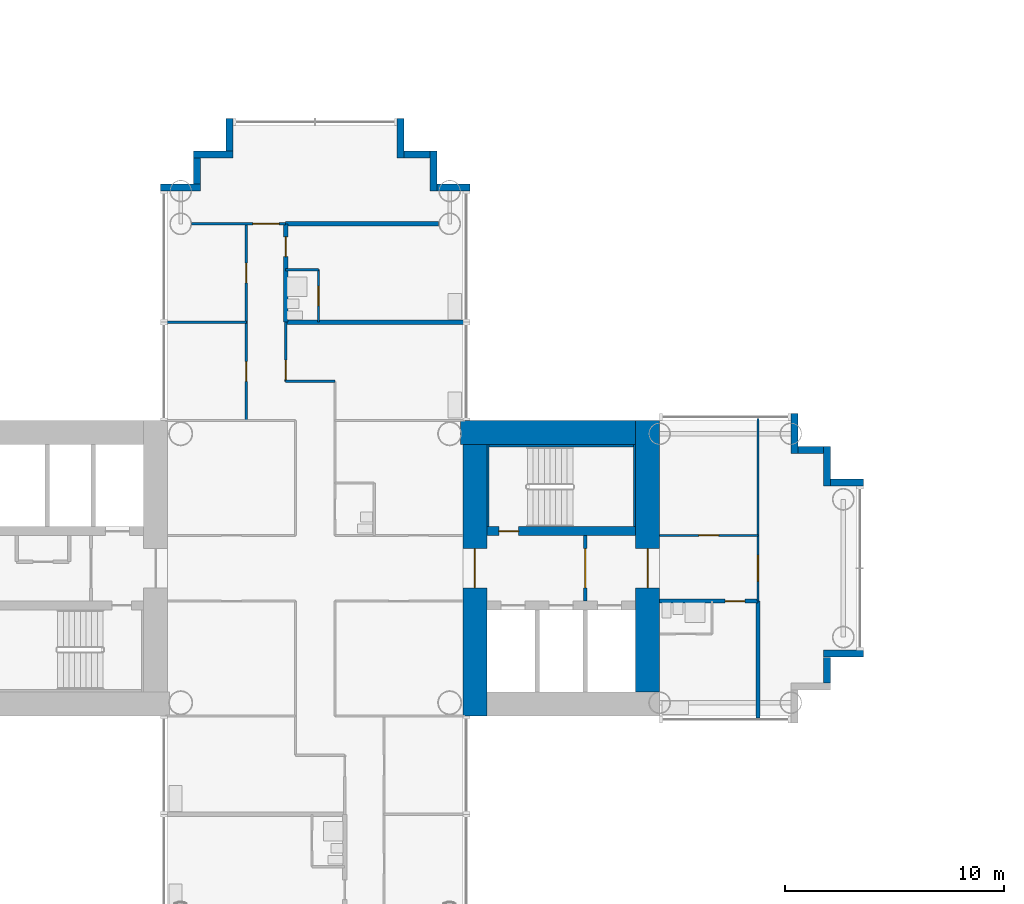
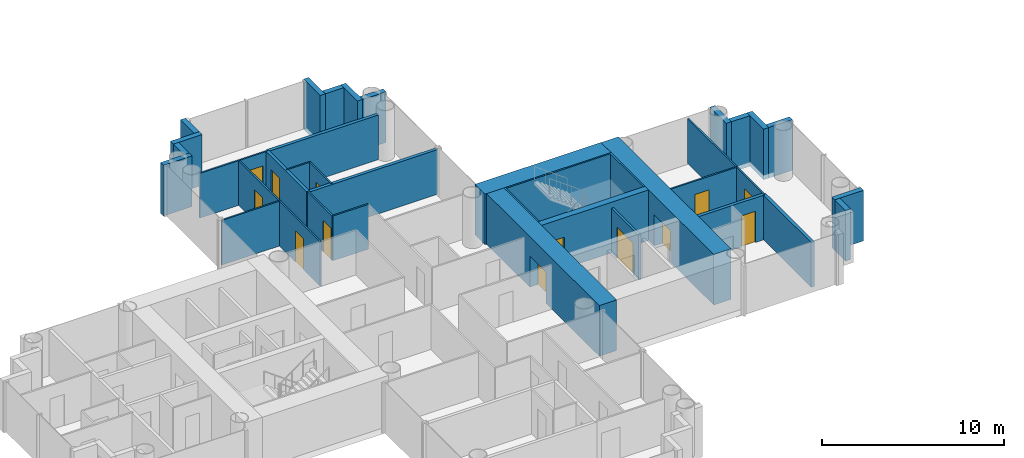
# One storey, part 11 of 21: 36 walls, 13 doors, 13 openings.
"""IFC4 building model written with IfcOpenShell, lengths in metres."""

from ifc_helpers import new_model, si_unit, direction, frame, frame_2d, origin, place, context, subcontext, project, spatial, rectangle, extrude, material, layer, layer_set, type_object, element, fill, save


model = new_model("IFC4")

# Units and contexts
model_context = context("Model", 3, precision=1e-05, world=origin(), true_north=direction((0.0, 1.0)))
body_context = subcontext(model_context, "Body", "Model", "MODEL_VIEW")
ifc_project = project(units=[si_unit("LENGTHUNIT", "METRE"), si_unit("AREAUNIT", "SQUARE_METRE"), si_unit("VOLUMEUNIT", "CUBIC_METRE"), si_unit("PLANEANGLEUNIT", "RADIAN"), si_unit("MASSUNIT", "GRAM", prefix="KILO")], contexts=[model_context])

# Site, building, storey
site_placement = place(None, origin())
site = spatial("IfcSite", under=ifc_project, at=site_placement, CompositionType="ELEMENT")
building_placement = place(site_placement, origin())
building = spatial("IfcBuilding", under=site, at=building_placement, Name="Ipe Terrace Towers", CompositionType="ELEMENT")
storey_placement = place(building_placement, frame((0.0, 0.0, 41.5)))
storey = spatial("IfcBuildingStorey", under=building, at=storey_placement, Name="L10", CompositionType="ELEMENT", Elevation=41.5)

# Walls
ifc_material_1 = material(Name="Concrete C40/50 with buff precast cladding", Category="concrete")
ifc_layer_1 = layer(ifc_material_1, 0.320068359375)
ifc_layer_set_1 = layer_set([ifc_layer_1], Name="BUFF CLADDING WALL 320")
wall_type_1 = type_object("IfcWallType", Name="BUFF CLADDING WALL 320", PredefinedType="STANDARD", material=ifc_layer_set_1)
wall_1_placement = place(storey_placement, frame((-12.590087890625, -5.25, -0.300048828125), z_axis=(0.0, 0.0, 1.0), x_axis=(0.0, 1.0, 0.0)))
element("IfcWall", 1, at=wall_1_placement, inside=storey, type_object=wall_type_1, Name="T1-W-L10-23a wall", PredefinedType="STANDARD", context=body_context, shape_type="SweptSolid", body=[
    extrude(rectangle(XDim=1.179931640625, YDim=0.320068359375, at=frame_2d((0.58984375, 0.0))), origin(), (0.0, 0.0, 1.0), 3.400146484375),
])
wall_2_placement = place(storey_placement, frame((-12.75, -3.909912109375, -0.300048828125), z_axis=(0.0, 0.0, 1.0), x_axis=(1.0, 0.0, 0.0)))
element("IfcWall", 2, at=wall_2_placement, inside=storey, type_object=wall_type_1, Name="T1-W-L10-24a wall", PredefinedType="STANDARD", context=body_context, shape_type="SweptSolid", body=[
    extrude(rectangle(XDim=1.820068359375, YDim=0.320068359375, at=frame_2d((0.91015625, 0.0))), origin(), (0.0, 0.0, 1.0), 3.400146484375),
])
wall_3_placement = place(storey_placement, frame((-10.929931640625, 3.909912109375, -0.300048828125), z_axis=(0.0, 0.0, 1.0), x_axis=(-1.0, 0.0, 0.0)))
element("IfcWall", 3, at=wall_3_placement, inside=storey, type_object=wall_type_1, Name="T1-W-L10-26a wall", PredefinedType="STANDARD", context=body_context, shape_type="SweptSolid", body=[
    extrude(rectangle(XDim=1.5, YDim=0.320068359375, at=frame_2d((0.75, 0.0))), origin(), (0.0, 0.0, 1.0), 3.400146484375),
])
wall_4_placement = place(storey_placement, frame((-12.590087890625, 3.75, -0.300048828125), z_axis=(0.0, 0.0, 1.0), x_axis=(0.0, 1.0, 0.0)))
element("IfcWall", 4, at=wall_4_placement, inside=storey, type_object=wall_type_1, Name="T1-W-L10-27a wall", PredefinedType="STANDARD", context=body_context, shape_type="SweptSolid", body=[
    extrude(rectangle(XDim=1.820068359375, YDim=0.320068359375, at=frame_2d((0.91015625, 0.0))), origin(), (0.0, 0.0, 1.0), 3.400146484375),
])
wall_5_placement = place(storey_placement, frame((-12.75, 5.409912109375, -0.300048828125), z_axis=(0.0, 0.0, 1.0), x_axis=(-1.0, 0.0, 0.0)))
element("IfcWall", 5, at=wall_5_placement, inside=storey, type_object=wall_type_1, Name="T1-W-L10-28a wall", PredefinedType="STANDARD", context=body_context, shape_type="SweptSolid", body=[
    extrude(rectangle(XDim=1.179931640625, YDim=0.320068359375, at=frame_2d((0.58984375, 0.0))), origin(), (0.0, 0.0, 1.0), 3.400146484375),
])
wall_6_placement = place(storey_placement, frame((-14.090087890625, 5.25, -0.300048828125), z_axis=(0.0, 0.0, 1.0), x_axis=(0.0, 1.0, 0.0)))
element("IfcWall", 6, at=wall_6_placement, inside=storey, type_object=wall_type_1, Name="T1-W-L10-29a wall", PredefinedType="STANDARD", context=body_context, shape_type="SweptSolid", body=[
    extrude(rectangle(XDim=1.820068359375, YDim=0.320068359375, at=frame_2d((0.91015625, 0.0))), origin(), (0.0, 0.0, 1.0), 3.400146484375),
])
wall_7_placement = place(storey_placement, frame((-28.929931640625, 17.409912109375, -0.300048828125), z_axis=(0.0, 0.0, 1.0), x_axis=(-1.0, 0.0, 0.0)))
element("IfcWall", 7, at=wall_7_placement, inside=storey, type_object=wall_type_1, Name="T1-W-L10-34a wall", PredefinedType="STANDARD", context=body_context, shape_type="SweptSolid", body=[
    extrude(rectangle(XDim=1.5, YDim=0.320068359375, at=frame_2d((0.75, 0.0))), origin(), (0.0, 0.0, 1.0), 3.400146484375),
])
wall_8_placement = place(storey_placement, frame((-30.590087890625, 17.25, -0.300048828125), z_axis=(0.0, 0.0, 1.0), x_axis=(0.0, 1.0, 0.0)))
element("IfcWall", 8, at=wall_8_placement, inside=storey, type_object=wall_type_1, Name="T1-W-L10-35a wall", PredefinedType="STANDARD", context=body_context, shape_type="SweptSolid", body=[
    extrude(rectangle(XDim=1.820068359375, YDim=0.320068359375, at=frame_2d((0.91015625, 0.0))), origin(), (0.0, 0.0, 1.0), 3.400146484375),
])
wall_9_placement = place(storey_placement, frame((-30.75, 18.909912109375, -0.300048828125), z_axis=(0.0, 0.0, 1.0), x_axis=(-1.0, 0.0, 0.0)))
element("IfcWall", 9, at=wall_9_placement, inside=storey, type_object=wall_type_1, Name="T1-W-L10-36a wall", PredefinedType="STANDARD", context=body_context, shape_type="SweptSolid", body=[
    extrude(rectangle(XDim=1.179931640625, YDim=0.320068359375, at=frame_2d((0.58984375, 0.0))), origin(), (0.0, 0.0, 1.0), 3.400146484375),
])
wall_10_placement = place(storey_placement, frame((-32.090087890625, 18.75, -0.300048828125), z_axis=(0.0, 0.0, 1.0), x_axis=(0.0, 1.0, 0.0)))
element("IfcWall", 10, at=wall_10_placement, inside=storey, type_object=wall_type_1, Name="T1-W-L10-37a wall", PredefinedType="STANDARD", context=body_context, shape_type="SweptSolid", body=[
    extrude(rectangle(XDim=1.820068359375, YDim=0.320068359375, at=frame_2d((0.91015625, 0.0))), origin(), (0.0, 0.0, 1.0), 3.400146484375),
])
wall_11_placement = place(storey_placement, frame((-39.909912109375, 20.570068359375, -0.300048828125), z_axis=(0.0, 0.0, 1.0), x_axis=(0.0, -1.0, 0.0)))
element("IfcWall", 11, at=wall_11_placement, inside=storey, type_object=wall_type_1, Name="T1-W-L10-39a wall", PredefinedType="STANDARD", context=body_context, shape_type="SweptSolid", body=[
    extrude(rectangle(XDim=1.5, YDim=0.320068359375, at=frame_2d((0.75, 0.0))), origin(), (0.0, 0.0, 1.0), 3.400146484375),
])
wall_12_placement = place(storey_placement, frame((-39.75, 18.909912109375, -0.300048828125), z_axis=(0.0, 0.0, 1.0), x_axis=(-1.0, 0.0, 0.0)))
element("IfcWall", 12, at=wall_12_placement, inside=storey, type_object=wall_type_1, Name="T1-W-L10-40a wall", PredefinedType="STANDARD", context=body_context, shape_type="SweptSolid", body=[
    extrude(rectangle(XDim=1.820068359375, YDim=0.320068359375, at=frame_2d((0.91015625, 0.0))), origin(), (0.0, 0.0, 1.0), 3.400146484375),
])
wall_13_placement = place(storey_placement, frame((-41.409912109375, 18.75, -0.300048828125), z_axis=(0.0, 0.0, 1.0), x_axis=(0.0, -1.0, 0.0)))
element("IfcWall", 13, at=wall_13_placement, inside=storey, type_object=wall_type_1, Name="T1-W-L10-41a wall", PredefinedType="STANDARD", context=body_context, shape_type="SweptSolid", body=[
    extrude(rectangle(XDim=1.179931640625, YDim=0.320068359375, at=frame_2d((0.58984375, 0.0))), origin(), (0.0, 0.0, 1.0), 3.400146484375),
])
wall_14_placement = place(storey_placement, frame((-41.25, 17.409912109375, -0.300048828125), z_axis=(0.0, 0.0, 1.0), x_axis=(-1.0, 0.0, 0.0)))
element("IfcWall", 14, at=wall_14_placement, inside=storey, type_object=wall_type_1, Name="T1-W-L10-42a wall", PredefinedType="STANDARD", context=body_context, shape_type="SweptSolid", body=[
    extrude(rectangle(XDim=1.820068359375, YDim=0.320068359375, at=frame_2d((0.91015625, 0.0))), origin(), (0.0, 0.0, 1.0), 3.400146484375),
])

# Wall, openings, doors
ifc_material_2 = material(Name="Gypsum board partition", Category="plasterboard")
ifc_layer_2 = layer(ifc_material_2, 0.10009765625)
ifc_layer_set_2 = layer_set([ifc_layer_2], Name="Gypsum board partition 100 mm")
wall_type_2 = type_object("IfcWallType", Name="Gypsum board partition 100 mm", PredefinedType="PARTITIONING", material=ifc_layer_set_2)
wall_15_placement = place(storey_placement, frame((-39.14990234375, 6.75, 0.0), z_axis=(0.0, 0.0, 1.0), x_axis=(0.0, 1.0, 0.0)))
wall_15 = element("IfcWall", 15, at=wall_15_placement, inside=storey, type_object=wall_type_2, Name="Gypsum board partition T1 L10 W05", PredefinedType="PARTITIONING", context=body_context, shape_type="SweptSolid", body=[
    extrude(rectangle(XDim=9.0, YDim=0.10009765625, at=frame_2d((4.5, 0.0))), origin(), (0.0, 0.0, 1.0), 3.0),
])
opening_1_placement = place(wall_15_placement, frame((1.800048828125, 0.0, 0.0)))
opening_1 = element("IfcOpeningElement", 16, at=opening_1_placement, cuts=wall_15, Name="Opening T1-Z1B-06", PredefinedType="OPENING", context=body_context, shape_type="SweptSolid", body=[
    extrude(rectangle(XDim=0.89990234375, YDim=2.10009765625, at=frame_2d((0.449951171875, 1.050048828125))), frame((0.0, 0.06005859375, 0.0), z_axis=(0.0, -1.0, 0.0), x_axis=(1.0, 0.0, 0.0)), (0.0, 0.0, 1.0), 0.1201171875),
])
opening_2_placement = place(wall_15_placement, frame((6.300048828125, 0.0, 0.0)))
opening_2 = element("IfcOpeningElement", 17, at=opening_2_placement, cuts=wall_15, Name="Opening T1-Z1B-07", PredefinedType="OPENING", context=body_context, shape_type="SweptSolid", body=[
    extrude(rectangle(XDim=0.89990234375, YDim=2.10009765625, at=frame_2d((0.449951171875, 1.050048828125))), frame((0.0, 0.06005859375, 0.0), z_axis=(0.0, -1.0, 0.0), x_axis=(1.0, 0.0, 0.0)), (0.0, 0.0, 1.0), 0.1201171875),
])
ifc_material_3 = material(Name="Timber door leaf", Category="wood")
door_type_1 = type_object("IfcDoorType", Name="Lounge door 900 x 2100", OperationType="NOTDEFINED", PredefinedType="DOOR", material=ifc_material_3)
door_1_placement = place(opening_1_placement, origin())
door_1 = element("IfcDoor", 18, at=door_1_placement, inside=storey, type_object=door_type_1, Name="Lounge door T1-Z1B-06", OperationType="SINGLE_SWING_RIGHT", OverallHeight=2.10009765625, OverallWidth=0.89990234375, PredefinedType="DOOR", context=body_context, shape_type="SweptSolid", body=[
    extrude(rectangle(XDim=0.89990234375, YDim=2.10009765625, at=frame_2d((0.449951171875, 1.050048828125))), frame((0.0, 0.02490234375, 0.0), z_axis=(0.0, -1.0, 0.0), x_axis=(1.0, 0.0, 0.0)), (0.0, 0.0, 1.0), 0.050048828125),
])
fill(opening_1, door_1)
door_2_placement = place(opening_2_placement, origin())
door_2 = element("IfcDoor", 19, at=door_2_placement, inside=storey, type_object=door_type_1, Name="Lounge door T1-Z1B-07", OperationType="SINGLE_SWING_LEFT", OverallHeight=2.10009765625, OverallWidth=0.89990234375, PredefinedType="DOOR", context=body_context, shape_type="SweptSolid", body=[
    extrude(rectangle(XDim=0.89990234375, YDim=2.10009765625, at=frame_2d((0.449951171875, 1.050048828125))), frame((0.0, 0.02490234375, 0.0), z_axis=(0.0, -1.0, 0.0), x_axis=(1.0, 0.0, 0.0)), (0.0, 0.0, 1.0), 0.050048828125),
])
fill(opening_2, door_2)

# Wall, opening, door
wall_16_placement = place(storey_placement, frame((-37.35009765625, 8.550048828125, 0.0), z_axis=(0.0, 0.0, 1.0), x_axis=(0.0, 1.0, 0.0)))
wall_16 = element("IfcWall", 20, at=wall_16_placement, inside=storey, type_object=wall_type_2, Name="Gypsum board partition T1 L10 W06", PredefinedType="PARTITIONING", context=body_context, shape_type="SweptSolid", body=[
    extrude(rectangle(XDim=2.699951171875, YDim=0.10009765625, at=frame_2d((1.35009765625, 0.0))), origin(), (0.0, 0.0, 1.0), 3.0),
])
opening_3_placement = place(wall_16_placement, frame((0.070068359375, 0.0, 0.0)))
opening_3 = element("IfcOpeningElement", 21, at=opening_3_placement, cuts=wall_16, Name="Opening T1-Z1B-08", PredefinedType="OPENING", context=body_context, shape_type="SweptSolid", body=[
    extrude(rectangle(XDim=0.89990234375, YDim=2.10009765625, at=frame_2d((0.449951171875, 1.050048828125))), frame((0.0, 0.06005859375, 0.0), z_axis=(0.0, -1.0, 0.0), x_axis=(1.0, 0.0, 0.0)), (0.0, 0.0, 1.0), 0.1201171875),
])
door_3_placement = place(opening_3_placement, origin())
door_3 = element("IfcDoor", 22, at=door_3_placement, inside=storey, type_object=door_type_1, Name="Lounge door T1-Z1B-08", OperationType="SINGLE_SWING_LEFT", OverallHeight=2.10009765625, OverallWidth=0.89990234375, PredefinedType="DOOR", context=body_context, shape_type="SweptSolid", body=[
    extrude(rectangle(XDim=0.89990234375, YDim=2.10009765625, at=frame_2d((0.449951171875, 1.050048828125))), frame((0.0, 0.02490234375, 0.0), z_axis=(0.0, -1.0, 0.0), x_axis=(1.0, 0.0, 0.0)), (0.0, 0.0, 1.0), 0.050048828125),
])
fill(opening_3, door_3)

wall_17_placement = place(storey_placement, frame((-35.85009765625, 11.25, 0.0), z_axis=(0.0, 0.0, 1.0), x_axis=(0.0, 1.0, 0.0)))
wall_17 = element("IfcWall", 23, at=wall_17_placement, inside=storey, type_object=wall_type_2, Name="Gypsum board partition T1 L10 W11", PredefinedType="PARTITIONING", context=body_context, shape_type="SweptSolid", body=[
    extrude(rectangle(XDim=2.39990234375, YDim=0.10009765625, at=frame_2d((1.199951171875, 0.0))), origin(), (0.0, 0.0, 1.0), 3.0),
])
opening_4_placement = place(wall_17_placement, frame((0.75, 0.0, 0.0)))
opening_4 = element("IfcOpeningElement", 24, at=opening_4_placement, cuts=wall_17, Name="Opening T1-Z1B-10", PredefinedType="OPENING", context=body_context, shape_type="SweptSolid", body=[
    extrude(rectangle(XDim=0.89990234375, YDim=2.10009765625, at=frame_2d((0.449951171875, 1.050048828125))), frame((0.0, 0.06005859375, 0.0), z_axis=(0.0, -1.0, 0.0), x_axis=(1.0, 0.0, 0.0)), (0.0, 0.0, 1.0), 0.1201171875),
])
ifc_material_4 = material(Name="Timber door leaf", Category="wood")
door_type_2 = type_object("IfcDoorType", Name="Bathroom door 900 x 2100", OperationType="NOTDEFINED", PredefinedType="DOOR", material=ifc_material_4)
door_4_placement = place(opening_4_placement, origin())
door_4 = element("IfcDoor", 25, at=door_4_placement, inside=storey, type_object=door_type_2, Name="Bathroom door T1-Z1B-10", OperationType="SINGLE_SWING_RIGHT", OverallHeight=2.10009765625, OverallWidth=0.89990234375, PredefinedType="DOOR", context=body_context, shape_type="SweptSolid", body=[
    extrude(rectangle(XDim=0.89990234375, YDim=2.10009765625, at=frame_2d((0.449951171875, 1.050048828125))), frame((0.0, 0.02490234375, 0.0), z_axis=(0.0, -1.0, 0.0), x_axis=(1.0, 0.0, 0.0)), (0.0, 0.0, 1.0), 0.050048828125),
])
fill(opening_4, door_4)

wall_18_placement = place(storey_placement, frame((-15.75, -1.5, 0.0), z_axis=(0.0, 0.0, 1.0), x_axis=(0.0, 1.0, 0.0)))
wall_18 = element("IfcWall", 26, at=wall_18_placement, inside=storey, type_object=wall_type_2, Name="Gypsum board partition T1 L10 W19", PredefinedType="PARTITIONING", context=body_context, shape_type="SweptSolid", body=[
    extrude(rectangle(XDim=8.35009765625, YDim=0.10009765625, at=frame_2d((4.175048828125, 0.0))), origin(), (0.0, 0.0, 1.0), 3.0),
])
opening_5_placement = place(wall_18_placement, frame((0.89990234375, 0.0, 0.0)))
opening_5 = element("IfcOpeningElement", 27, at=opening_5_placement, cuts=wall_18, Name="Opening T1-Z1B-21", PredefinedType="OPENING", context=body_context, shape_type="SweptSolid", body=[
    extrude(rectangle(XDim=1.199951171875, YDim=2.10009765625, at=frame_2d((0.60009765625, 1.050048828125))), frame((0.0, 0.06005859375, 0.0), z_axis=(0.0, -1.0, 0.0), x_axis=(1.0, 0.0, 0.0)), (0.0, 0.0, 1.0), 0.1201171875),
])
ifc_material_5 = material(Name="Timber door leaf", Category="wood")
door_type_3 = type_object("IfcDoorType", Name="Lounge door 1200 x 2100", OperationType="NOTDEFINED", PredefinedType="DOOR", material=ifc_material_5)
door_5_placement = place(opening_5_placement, origin())
door_5 = element("IfcDoor", 28, at=door_5_placement, inside=storey, type_object=door_type_3, Name="Lounge door T1-Z1B-21", OperationType="SINGLE_SWING_LEFT", OverallHeight=2.10009765625, OverallWidth=1.199951171875, PredefinedType="DOOR", context=body_context, shape_type="SweptSolid", body=[
    extrude(rectangle(XDim=1.199951171875, YDim=2.10009765625, at=frame_2d((0.60009765625, 1.050048828125))), frame((0.0, 0.02490234375, 0.0), z_axis=(0.0, -1.0, 0.0), x_axis=(1.0, 0.0, 0.0)), (0.0, 0.0, 1.0), 0.050048828125),
])
fill(opening_5, door_5)

wall_19_placement = place(storey_placement, frame((-20.25, 1.5, 0.0), z_axis=(0.0, 0.0, 1.0), x_axis=(1.0, 0.0, 0.0)))
wall_19 = element("IfcWall", 29, at=wall_19_placement, inside=storey, type_object=wall_type_2, Name="Gypsum board partition T1 L10 W39", PredefinedType="PARTITIONING", context=body_context, shape_type="SweptSolid", body=[
    extrude(rectangle(XDim=4.5, YDim=0.10009765625, at=frame_2d((2.25, 0.0))), origin(), (0.0, 0.0, 1.0), 3.0),
])
opening_6_placement = place(wall_19_placement, frame((1.800048828125, 0.0, 0.0)))
opening_6 = element("IfcOpeningElement", 30, at=opening_6_placement, cuts=wall_19, Name="Opening T1-Z1B-18", PredefinedType="OPENING", context=body_context, shape_type="SweptSolid", body=[
    extrude(rectangle(XDim=0.89990234375, YDim=2.10009765625, at=frame_2d((0.449951171875, 1.050048828125))), frame((0.0, 0.06005859375, 0.0), z_axis=(0.0, -1.0, 0.0), x_axis=(1.0, 0.0, 0.0)), (0.0, 0.0, 1.0), 0.1201171875),
])
door_6_placement = place(opening_6_placement, origin())
door_6 = element("IfcDoor", 31, at=door_6_placement, inside=storey, type_object=door_type_1, Name="Lounge door T1-Z1B-18", OperationType="SINGLE_SWING_LEFT", OverallHeight=2.10009765625, OverallWidth=0.89990234375, PredefinedType="DOOR", context=body_context, shape_type="SweptSolid", body=[
    extrude(rectangle(XDim=0.89990234375, YDim=2.10009765625, at=frame_2d((0.449951171875, 1.050048828125))), frame((0.0, 0.02490234375, 0.0), z_axis=(0.0, -1.0, 0.0), x_axis=(1.0, 0.0, 0.0)), (0.0, 0.0, 1.0), 0.050048828125),
])
fill(opening_6, door_6)

# Walls
wall_20_placement = place(storey_placement, frame((-37.35009765625, 8.550048828125, 0.0), z_axis=(0.0, 0.0, 1.0), x_axis=(1.0, 0.0, 0.0)))
element("IfcWall", 32, at=wall_20_placement, inside=storey, type_object=wall_type_2, Name="Gypsum board partition T1 L10 W46", PredefinedType="PARTITIONING", context=body_context, shape_type="SweptSolid", body=[
    extrude(rectangle(XDim=2.25, YDim=0.10009765625, at=frame_2d((1.125, 0.0))), origin(), (0.0, 0.0, 1.0), 3.0),
])
wall_21_placement = place(storey_placement, frame((-42.85009765625, 11.25, 0.0), z_axis=(0.0, 0.0, 1.0), x_axis=(1.0, 0.0, 0.0)))
element("IfcWall", 33, at=wall_21_placement, inside=storey, type_object=wall_type_2, Name="Gypsum board partition T1 L10 W47", PredefinedType="PARTITIONING", context=body_context, shape_type="SweptSolid", body=[
    extrude(rectangle(XDim=3.7001953125, YDim=0.10009765625, at=frame_2d((1.85009765625, 0.0))), origin(), (0.0, 0.0, 1.0), 3.0),
])
wall_22_placement = place(storey_placement, frame((-37.35009765625, 13.64990234375, 0.0), z_axis=(0.0, 0.0, 1.0), x_axis=(1.0, 0.0, 0.0)))
element("IfcWall", 34, at=wall_22_placement, inside=storey, type_object=wall_type_2, Name="Gypsum board partition T1 L10 W49", PredefinedType="PARTITIONING", context=body_context, shape_type="SweptSolid", body=[
    extrude(rectangle(XDim=1.5, YDim=0.10009765625, at=frame_2d((0.75, 0.0))), origin(), (0.0, 0.0, 1.0), 3.0),
])

# Wall, opening, door
wall_23_placement = place(storey_placement, frame((-41.64990234375, 15.75, 0.0), z_axis=(0.0, 0.0, 1.0), x_axis=(1.0, 0.0, 0.0)))
wall_23 = element("IfcWall", 35, at=wall_23_placement, inside=storey, type_object=wall_type_2, Name="Gypsum board partition T1 L10 W50", PredefinedType="PARTITIONING", context=body_context, shape_type="SweptSolid", body=[
    extrude(rectangle(XDim=4.2998046875, YDim=0.10009765625, at=frame_2d((2.14990234375, 0.0))), origin(), (0.0, 0.0, 1.0), 3.0),
])
opening_7_placement = place(wall_23_placement, frame((2.800048828125, 0.0, 0.0)))
opening_7 = element("IfcOpeningElement", 36, at=opening_7_placement, cuts=wall_23, Name="Opening T1-Z1B-11", PredefinedType="OPENING", context=body_context, shape_type="SweptSolid", body=[
    extrude(rectangle(XDim=1.199951171875, YDim=2.10009765625, at=frame_2d((0.60009765625, 1.050048828125))), frame((0.0, 0.06005859375, 0.0), z_axis=(0.0, -1.0, 0.0), x_axis=(1.0, 0.0, 0.0)), (0.0, 0.0, 1.0), 0.1201171875),
])
door_7_placement = place(opening_7_placement, origin())
door_7 = element("IfcDoor", 37, at=door_7_placement, inside=storey, type_object=door_type_3, Name="Lounge door T1-Z1B-11", OperationType="SINGLE_SWING_LEFT", OverallHeight=2.10009765625, OverallWidth=1.199951171875, PredefinedType="DOOR", context=body_context, shape_type="SweptSolid", body=[
    extrude(rectangle(XDim=1.199951171875, YDim=2.10009765625, at=frame_2d((0.60009765625, 1.050048828125))), frame((0.0, 0.02490234375, 0.0), z_axis=(0.0, -1.0, 0.0), x_axis=(1.0, 0.0, 0.0)), (0.0, 0.0, 1.0), 0.050048828125),
])
fill(opening_7, door_7)

ifc_material_6 = material(Name="Gypsum board partition", Category="plasterboard")
ifc_layer_3 = layer(ifc_material_6, 0.14990234375)
ifc_layer_set_3 = layer_set([ifc_layer_3], Name="Gypsum board partition 150 mm")
wall_type_3 = type_object("IfcWallType", Name="Gypsum board partition 150 mm", PredefinedType="PARTITIONING", material=ifc_layer_set_3)
wall_24_placement = place(storey_placement, frame((-23.64990234375, -1.5, 0.0), z_axis=(0.0, 0.0, 1.0), x_axis=(0.0, 1.0, 0.0)))
wall_24 = element("IfcWall", 38, at=wall_24_placement, inside=storey, type_object=wall_type_3, Name="Gypsum board partition T1 L10 t1c1-lobby-wall", PredefinedType="PARTITIONING", context=body_context, shape_type="SweptSolid", body=[
    extrude(rectangle(XDim=3.0, YDim=0.14990234375, at=frame_2d((1.5, 0.0))), origin(), (0.0, 0.0, 1.0), 3.0),
])
opening_8_placement = place(wall_24_placement, frame((0.60009765625, 0.0, 0.0)))
opening_8 = element("IfcOpeningElement", 39, at=opening_8_placement, cuts=wall_24, Name="Opening T1C1-VD", PredefinedType="OPENING", context=body_context, shape_type="SweptSolid", body=[
    extrude(rectangle(XDim=1.800048828125, YDim=2.10009765625, at=frame_2d((0.89990234375, 1.050048828125))), frame((0.0, 0.0849609375, 0.0), z_axis=(0.0, -1.0, 0.0), x_axis=(1.0, 0.0, 0.0)), (0.0, 0.0, 1.0), 0.169921875),
])
ifc_material_7 = material(Name="Fire-rated timber door leaf", Category="wood")
door_type_4 = type_object("IfcDoorType", Name="Lobby door 1800 x 2100 FD60", OperationType="NOTDEFINED", PredefinedType="DOOR", material=ifc_material_7)
door_8_placement = place(opening_8_placement, origin())
door_8 = element("IfcDoor", 40, at=door_8_placement, inside=storey, type_object=door_type_4, Name="Lobby door T1C1-VD", OperationType="SINGLE_SWING_LEFT", OverallHeight=2.10009765625, OverallWidth=1.800048828125, PredefinedType="DOOR", context=body_context, shape_type="SweptSolid", body=[
    extrude(rectangle(XDim=1.800048828125, YDim=2.10009765625, at=frame_2d((0.89990234375, 1.050048828125))), frame((0.0, 0.02490234375, 0.0), z_axis=(0.0, -1.0, 0.0), x_axis=(1.0, 0.0, 0.0)), (0.0, 0.0, 1.0), 0.050048828125),
])
fill(opening_8, door_8)

ifc_material_8 = material(Name="Gypsum board party wall", Category="plasterboard")
ifc_layer_4 = layer(ifc_material_8, 0.199951171875)
ifc_layer_set_4 = layer_set([ifc_layer_4], Name="Gypsum board party wall 200 mm")
wall_type_4 = type_object("IfcWallType", Name="Gypsum board party wall 200 mm", PredefinedType="SOLIDWALL", material=ifc_layer_set_4)
wall_25_placement = place(storey_placement, frame((-37.35009765625, 11.25, 0.0), z_axis=(0.0, 0.0, 1.0), x_axis=(0.0, 1.0, 0.0)))
wall_25 = element("IfcWall", 41, at=wall_25_placement, inside=storey, type_object=wall_type_4, Name="Gypsum board party wall T1 L10 W07", PredefinedType="SOLIDWALL", context=body_context, shape_type="SweptSolid", body=[
    extrude(rectangle(XDim=4.5, YDim=0.199951171875, at=frame_2d((2.25, 0.0))), origin(), (0.0, 0.0, 1.0), 3.0),
])
opening_9_placement = place(wall_25_placement, frame((3.0, 0.0, 0.0)))
opening_9 = element("IfcOpeningElement", 42, at=opening_9_placement, cuts=wall_25, Name="Opening T1-Z1B-09", PredefinedType="OPENING", context=body_context, shape_type="SweptSolid", body=[
    extrude(rectangle(XDim=0.89990234375, YDim=2.10009765625, at=frame_2d((0.449951171875, 1.050048828125))), frame((0.0, 0.10986328125, 0.0), z_axis=(0.0, -1.0, 0.0), x_axis=(1.0, 0.0, 0.0)), (0.0, 0.0, 1.0), 0.219970703125),
])
ifc_material_9 = material(Name="Fire-rated timber door leaf", Category="wood")
door_type_5 = type_object("IfcDoorType", Name="Flat entrance door 900 x 2100 FD30S", OperationType="NOTDEFINED", PredefinedType="DOOR", material=ifc_material_9)
door_9_placement = place(opening_9_placement, origin())
door_9 = element("IfcDoor", 43, at=door_9_placement, inside=storey, type_object=door_type_5, Name="Flat entrance door T1-Z1B-09", OperationType="SINGLE_SWING_RIGHT", OverallHeight=2.10009765625, OverallWidth=0.89990234375, PredefinedType="DOOR", context=body_context, shape_type="SweptSolid", body=[
    extrude(rectangle(XDim=0.89990234375, YDim=2.10009765625, at=frame_2d((0.449951171875, 1.050048828125))), frame((0.0, 0.02490234375, 0.0), z_axis=(0.0, -1.0, 0.0), x_axis=(1.0, 0.0, 0.0)), (0.0, 0.0, 1.0), 0.050048828125),
])
fill(opening_9, door_9)

# Wall
wall_26_placement = place(storey_placement, frame((-15.75, -6.85009765625, 0.0), z_axis=(0.0, 0.0, 1.0), x_axis=(0.0, 1.0, 0.0)))
element("IfcWall", 44, at=wall_26_placement, inside=storey, type_object=wall_type_4, Name="Gypsum board party wall T1 L10 W20", PredefinedType="SOLIDWALL", context=body_context, shape_type="SweptSolid", body=[
    extrude(rectangle(XDim=5.35009765625, YDim=0.199951171875, at=frame_2d((2.675048828125, 0.0))), origin(), (0.0, 0.0, 1.0), 3.0),
])

# Wall, opening, door
wall_27_placement = place(storey_placement, frame((-20.25, -1.5, 0.0), z_axis=(0.0, 0.0, 1.0), x_axis=(1.0, 0.0, 0.0)))
wall_27 = element("IfcWall", 45, at=wall_27_placement, inside=storey, type_object=wall_type_4, Name="Gypsum board party wall T1 L10 W35", PredefinedType="SOLIDWALL", context=body_context, shape_type="SweptSolid", body=[
    extrude(rectangle(XDim=4.5, YDim=0.199951171875, at=frame_2d((2.25, 0.0))), origin(), (0.0, 0.0, 1.0), 3.0),
])
opening_10_placement = place(wall_27_placement, frame((3.0, 0.0, 0.0)))
opening_10 = element("IfcOpeningElement", 46, at=opening_10_placement, cuts=wall_27, Name="Opening T1-Z1B-19", PredefinedType="OPENING", context=body_context, shape_type="SweptSolid", body=[
    extrude(rectangle(XDim=0.89990234375, YDim=2.10009765625, at=frame_2d((0.449951171875, 1.050048828125))), frame((0.0, 0.10986328125, 0.0), z_axis=(0.0, -1.0, 0.0), x_axis=(1.0, 0.0, 0.0)), (0.0, 0.0, 1.0), 0.219970703125),
])
door_10_placement = place(opening_10_placement, origin())
door_10 = element("IfcDoor", 47, at=door_10_placement, inside=storey, type_object=door_type_5, Name="Flat entrance door T1-Z1B-19", OperationType="SINGLE_SWING_RIGHT", OverallHeight=2.10009765625, OverallWidth=0.89990234375, PredefinedType="DOOR", context=body_context, shape_type="SweptSolid", body=[
    extrude(rectangle(XDim=0.89990234375, YDim=2.10009765625, at=frame_2d((0.449951171875, 1.050048828125))), frame((0.0, 0.02490234375, 0.0), z_axis=(0.0, -1.0, 0.0), x_axis=(1.0, 0.0, 0.0)), (0.0, 0.0, 1.0), 0.050048828125),
])
fill(opening_10, door_10)

# Walls
wall_28_placement = place(storey_placement, frame((-37.35009765625, 11.25, 0.0), z_axis=(0.0, 0.0, 1.0), x_axis=(1.0, 0.0, 0.0)))
element("IfcWall", 48, at=wall_28_placement, inside=storey, type_object=wall_type_4, Name="Gypsum board party wall T1 L10 W48", PredefinedType="SOLIDWALL", context=body_context, shape_type="SweptSolid", body=[
    extrude(rectangle(XDim=8.2001953125, YDim=0.199951171875, at=frame_2d((4.10009765625, 0.0))), origin(), (0.0, 0.0, 1.0), 3.0),
])
wall_29_placement = place(storey_placement, frame((-37.35009765625, 15.75, 0.0), z_axis=(0.0, 0.0, 1.0), x_axis=(1.0, 0.0, 0.0)))
element("IfcWall", 49, at=wall_29_placement, inside=storey, type_object=wall_type_4, Name="Gypsum board party wall T1 L10 W51", PredefinedType="SOLIDWALL", context=body_context, shape_type="SweptSolid", body=[
    extrude(rectangle(XDim=7.0, YDim=0.199951171875, at=frame_2d((3.5, 0.0))), origin(), (0.0, 0.0, 1.0), 3.0),
])
ifc_material_10 = material(Name="Concrete C60/75", Category="concrete")
ifc_layer_5 = layer(ifc_material_10, 0.10009765625)
ifc_layer_set_5 = layer_set([ifc_layer_5], Name="RW100 CORE INFILL WALL 100 C60-75")
wall_type_5 = type_object("IfcWallType", Name="RW100 CORE INFILL WALL 100 C60-75", PredefinedType="SHEAR", material=ifc_layer_set_5)
wall_30_placement = place(storey_placement, frame((-21.39990234375, 1.89990234375, 0.0), z_axis=(0.0, 0.0, 1.0), x_axis=(0.0, 1.0, 0.0)))
element("IfcWall", 50, at=wall_30_placement, inside=storey, type_object=wall_type_5, Name="Core infill wall T1-C1-far", PredefinedType="SHEAR", context=body_context, shape_type="SweptSolid", body=[
    extrude(rectangle(XDim=3.75, YDim=0.10009765625, at=frame_2d((1.875, 0.0))), origin(), (0.0, 0.0, 1.0), 3.39990234375),
])
wall_31_placement = place(storey_placement, frame((-28.050048828125, 5.60009765625, 0.0), z_axis=(0.0, 0.0, 1.0), x_axis=(1.0, 0.0, 0.0)))
element("IfcWall", 51, at=wall_31_placement, inside=storey, type_object=wall_type_5, Name="Core infill wall T1-C1-back", PredefinedType="SHEAR", context=body_context, shape_type="SweptSolid", body=[
    extrude(rectangle(XDim=6.60009765625, YDim=0.10009765625, at=frame_2d((3.300048828125, 0.0))), origin(), (0.0, 0.0, 1.0), 3.39990234375),
])
wall_32_placement = place(storey_placement, frame((-28.10009765625, 1.89990234375, 0.0), z_axis=(0.0, 0.0, 1.0), x_axis=(0.0, 1.0, 0.0)))
element("IfcWall", 52, at=wall_32_placement, inside=storey, type_object=wall_type_5, Name="Core infill wall T1-C1-near", PredefinedType="SHEAR", context=body_context, shape_type="SweptSolid", body=[
    extrude(rectangle(XDim=3.75, YDim=0.10009765625, at=frame_2d((1.875, 0.0))), origin(), (0.0, 0.0, 1.0), 3.39990234375),
])

# Wall, opening, door
ifc_material_11 = material(Name="Concrete C60/75", Category="concrete")
ifc_layer_6 = layer(ifc_material_11, 1.10009765625)
ifc_layer_set_6 = layer_set([ifc_layer_6], Name="RW1100 CORE WALL 1100 C60-75")
wall_type_6 = type_object("IfcWallType", Name="RW1100 CORE WALL 1100 C60-75", PredefinedType="SHEAR", material=ifc_layer_set_6)
wall_33_placement = place(storey_placement, frame((-20.800048828125, -5.64990234375, 0.0), z_axis=(0.0, 0.0, 1.0), x_axis=(0.0, 1.0, 0.0)))
wall_33 = element("IfcWall", 53, at=wall_33_placement, inside=storey, type_object=wall_type_6, Name="Core wall T1-C1-Z1-W02", PredefinedType="SHEAR", context=body_context, shape_type="SweptSolid", body=[
    extrude(rectangle(XDim=12.39990234375, YDim=1.10009765625, at=frame_2d((6.199951171875, 0.0))), origin(), (0.0, 0.0, 1.0), 3.39990234375),
])
opening_11_placement = place(wall_33_placement, frame((4.75, 0.0, 0.0)))
opening_11 = element("IfcOpeningElement", 54, at=opening_11_placement, cuts=wall_33, Name="Opening T1C1-FD", PredefinedType="OPENING", context=body_context, shape_type="SweptSolid", body=[
    extrude(rectangle(XDim=1.800048828125, YDim=2.10009765625, at=frame_2d((0.89990234375, 1.050048828125))), frame((0.0, 0.56005859375, 0.0), z_axis=(0.0, -1.0, 0.0), x_axis=(1.0, 0.0, 0.0)), (0.0, 0.0, 1.0), 1.1201171875),
])
ifc_material_12 = material(Name="Fire-rated timber door leaf", Category="wood")
door_type_6 = type_object("IfcDoorType", Name="Fire door 1800 x 2100 FD30S", OperationType="NOTDEFINED", PredefinedType="DOOR", material=ifc_material_12)
door_11_placement = place(opening_11_placement, origin())
door_11 = element("IfcDoor", 55, at=door_11_placement, inside=storey, type_object=door_type_6, Name="Fire door T1C1-FD", OperationType="SINGLE_SWING_LEFT", OverallHeight=2.10009765625, OverallWidth=1.800048828125, PredefinedType="DOOR", context=body_context, shape_type="SweptSolid", body=[
    extrude(rectangle(XDim=1.800048828125, YDim=2.10009765625, at=frame_2d((0.89990234375, 1.050048828125))), frame((0.0, 0.02490234375, 0.0), z_axis=(0.0, -1.0, 0.0), x_axis=(1.0, 0.0, 0.0)), (0.0, 0.0, 1.0), 0.050048828125),
])
fill(opening_11, door_11)

# Wall
wall_34_placement = place(storey_placement, frame((-21.35009765625, 6.199951171875, 0.0), z_axis=(0.0, 0.0, 1.0), x_axis=(-1.0, 0.0, 0.0)))
element("IfcWall", 56, at=wall_34_placement, inside=storey, type_object=wall_type_6, Name="Core wall T1-C1-Z1-W03", PredefinedType="SHEAR", context=body_context, shape_type="SweptSolid", body=[
    extrude(rectangle(XDim=7.997802734375, YDim=1.10009765625, at=frame_2d((3.9990234375, 0.0))), origin(), (0.0, 0.0, 1.0), 3.39990234375),
])

# Wall, opening, door
wall_35_placement = place(storey_placement, frame((-28.699951171875, 5.64990234375, 0.0), z_axis=(0.0, 0.0, 1.0), x_axis=(0.0, -1.0, 0.0)))
wall_35 = element("IfcWall", 57, at=wall_35_placement, inside=storey, type_object=wall_type_6, Name="Core wall T1-C1-Z1-W04", PredefinedType="SHEAR", context=body_context, shape_type="SweptSolid", body=[
    extrude(rectangle(XDim=12.39990234375, YDim=1.10009765625, at=frame_2d((6.199951171875, 0.0))), origin(), (0.0, 0.0, 1.0), 3.39990234375),
])
opening_12_placement = place(wall_35_placement, frame((4.75, 0.0, 0.0)))
opening_12 = element("IfcOpeningElement", 58, at=opening_12_placement, cuts=wall_35, Name="Opening T1C1-ND", PredefinedType="OPENING", context=body_context, shape_type="SweptSolid", body=[
    extrude(rectangle(XDim=1.800048828125, YDim=2.10009765625, at=frame_2d((0.89990234375, 1.050048828125))), frame((0.0, 0.56005859375, 0.0), z_axis=(0.0, -1.0, 0.0), x_axis=(1.0, 0.0, 0.0)), (0.0, 0.0, 1.0), 1.1201171875),
])
door_12_placement = place(opening_12_placement, origin())
door_12 = element("IfcDoor", 59, at=door_12_placement, inside=storey, type_object=door_type_6, Name="Fire door T1C1-ND", OperationType="SINGLE_SWING_LEFT", OverallHeight=2.10009765625, OverallWidth=1.800048828125, PredefinedType="DOOR", context=body_context, shape_type="SweptSolid", body=[
    extrude(rectangle(XDim=1.800048828125, YDim=2.10009765625, at=frame_2d((0.89990234375, 1.050048828125))), frame((0.0, 0.02490234375, 0.0), z_axis=(0.0, -1.0, 0.0), x_axis=(1.0, 0.0, 0.0)), (0.0, 0.0, 1.0), 0.050048828125),
])
fill(opening_12, door_12)

ifc_material_13 = material(Name="Concrete C60/75", Category="concrete")
ifc_layer_7 = layer(ifc_material_13, 0.39990234375)
ifc_layer_set_7 = layer_set([ifc_layer_7], Name="RW400 CORE SPINE WALL 400 C60-75")
wall_type_7 = type_object("IfcWallType", Name="RW400 CORE SPINE WALL 400 C60-75", PredefinedType="SHEAR", material=ifc_layer_set_7)
wall_36_placement = place(storey_placement, frame((-28.14990234375, 1.699951171875, 0.0), z_axis=(0.0, 0.0, 1.0), x_axis=(1.0, 0.0, 0.0)))
wall_36 = element("IfcWall", 60, at=wall_36_placement, inside=storey, type_object=wall_type_7, Name="Core spine wall T1-C1-Z1-SW2", PredefinedType="SHEAR", context=body_context, shape_type="SweptSolid", body=[
    extrude(rectangle(XDim=6.7998046875, YDim=0.39990234375, at=frame_2d((3.39990234375, 0.0))), origin(), (0.0, 0.0, 1.0), 3.39990234375),
])
opening_13_placement = place(wall_36_placement, frame((0.550048828125, 0.0, 0.0)))
opening_13 = element("IfcOpeningElement", 61, at=opening_13_placement, cuts=wall_36, Name="Opening T1C1-SD", PredefinedType="OPENING", context=body_context, shape_type="SweptSolid", body=[
    extrude(rectangle(XDim=0.89990234375, YDim=2.10009765625, at=frame_2d((0.449951171875, 1.050048828125))), frame((0.0, 0.2099609375, 0.0), z_axis=(0.0, -1.0, 0.0), x_axis=(1.0, 0.0, 0.0)), (0.0, 0.0, 1.0), 0.419921875),
])
ifc_material_14 = material(Name="Fire-rated timber door leaf", Category="wood")
door_type_7 = type_object("IfcDoorType", Name="Stair door 900 x 2100 FD60", OperationType="NOTDEFINED", PredefinedType="DOOR", material=ifc_material_14)
door_13_placement = place(opening_13_placement, origin())
door_13 = element("IfcDoor", 62, at=door_13_placement, inside=storey, type_object=door_type_7, Name="Stair door T1C1-SD", OperationType="SINGLE_SWING_LEFT", OverallHeight=2.10009765625, OverallWidth=0.89990234375, PredefinedType="DOOR", context=body_context, shape_type="SweptSolid", body=[
    extrude(rectangle(XDim=0.89990234375, YDim=2.10009765625, at=frame_2d((0.449951171875, 1.050048828125))), frame((0.0, 0.02490234375, 0.0), z_axis=(0.0, -1.0, 0.0), x_axis=(1.0, 0.0, 0.0)), (0.0, 0.0, 1.0), 0.050048828125),
])
fill(opening_13, door_13)

save(model, "model.ifc")
